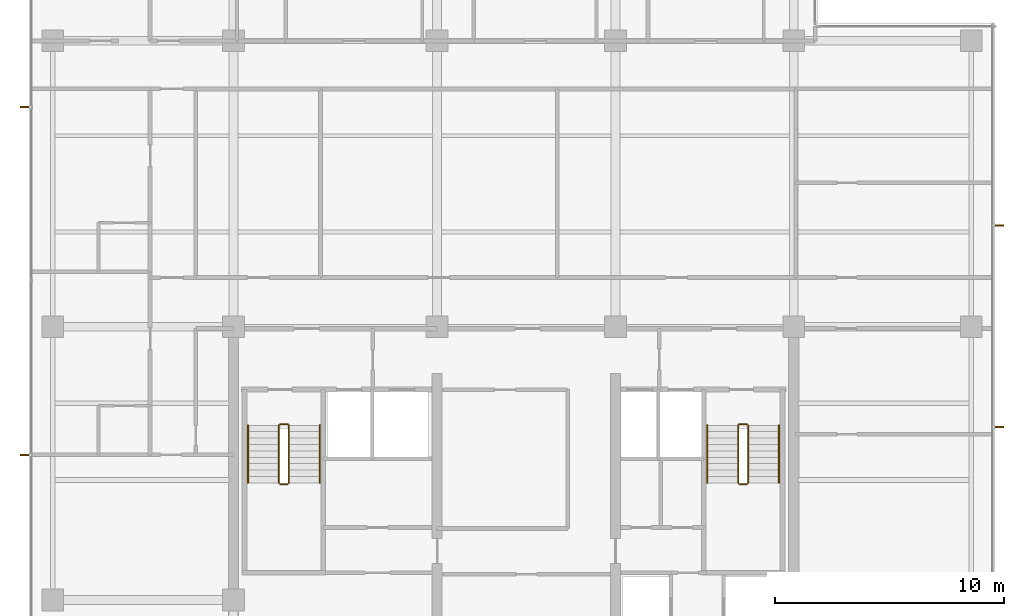
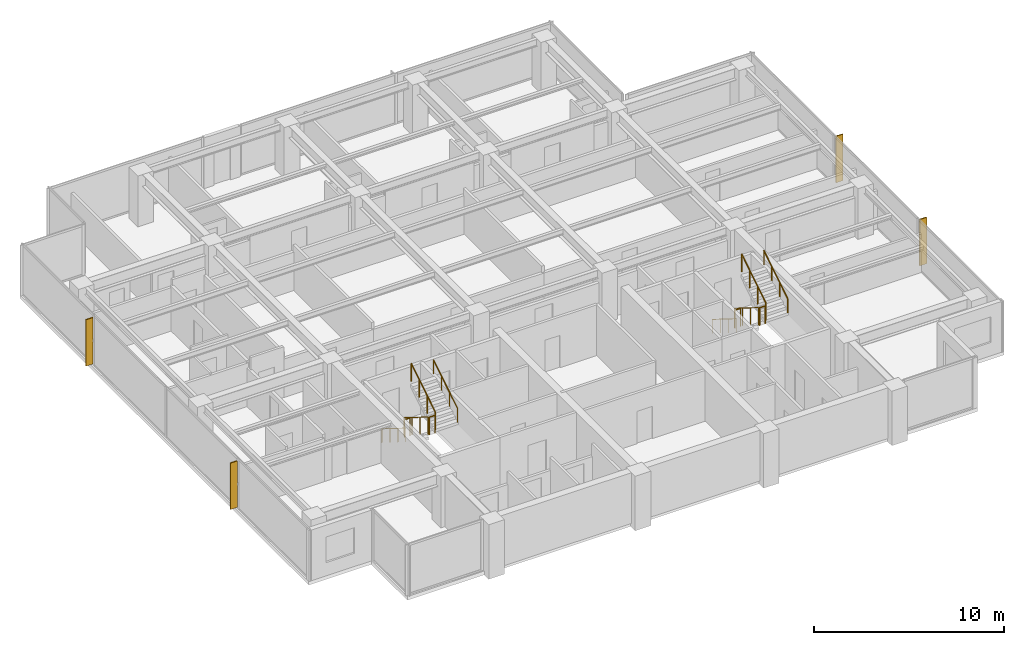
# One storey, part 13 of 14: 12 railings, 4 shading devices.
"""IFC4 building model written with IfcOpenShell, lengths in metres."""

import ifcopenshell
import ifcopenshell.guid

model = None  # the IFC model being written
_history = None  # IfcOwnerHistory: only IFC2X3 demands one
_inside = {}  # id of a spatial element -> (the spatial element, [elements in it])
_under = {}  # id of a project, library or spatial element -> (it, [spatial elements below it])
_declared = {}  # id of a project -> (the project, [libraries it declares])
_typed = {}  # id of a type object -> (the type object, [elements of that type])
_made_of = {}  # id of a material, layer set ... -> (it, [elements and type objects made of it])


def new_model(schema):
    """Start an empty IFC model of exactly this schema.

    Asked for "IFC4X3", IfcOpenShell would pick the latest addendum, in which some entities
    have other attributes; the version numbers below select the first issue.
    IFC2X3 requires an IfcOwnerHistory on every rooted entity: one is made here for all.
    """
    global model, _history
    if schema == "IFC4X3":
        model = ifcopenshell.file(schema_version=(4, 3, 0, 0))
    else:
        model = ifcopenshell.file(schema=schema)
    _inside.clear()
    _under.clear()
    _declared.clear()
    _typed.clear()
    _made_of.clear()
    _history = None
    if model.schema == "IFC2X3":
        org = make("IfcOrganization", Name="unknown")
        user = make(
            "IfcPersonAndOrganization",
            ThePerson=make("IfcPerson", FamilyName="unknown"),
            TheOrganization=org,
        )
        app = make(
            "IfcApplication",
            ApplicationDeveloper=org,
            Version="unknown",
            ApplicationFullName="unknown",
            ApplicationIdentifier="unknown",
        )
        _history = make(
            "IfcOwnerHistory",
            OwningUser=user,
            OwningApplication=app,
            ChangeAction="ADDED",
            CreationDate=0,
        )
    return model


def make(cls, **values):
    """One entity of the class cls with the attributes given. An attribute that is None is left unset."""
    return model.create_entity(
        cls, **{name: value for name, value in values.items() if value is not None}
    )


def rooted(cls, **values):
    """An entity with a GlobalId (a new one), such as an element, a storey or a relation."""
    return make(cls, GlobalId=ifcopenshell.guid.new(), OwnerHistory=_history, **values)


def si_unit(unit_type, name, prefix=None):
    """IfcSIUnit, for example si_unit("LENGTHUNIT", "METRE", prefix="MILLI")."""
    return make("IfcSIUnit", UnitType=unit_type, Prefix=prefix, Name=name)


def assignment(units):
    """IfcUnitAssignment: the units of a project."""
    return None if units is None else make("IfcUnitAssignment", Units=units)


def point(xyz):
    """IfcCartesianPoint."""
    return None if xyz is None else make("IfcCartesianPoint", Coordinates=xyz)


def direction(xyz):
    """IfcDirection."""
    return None if xyz is None else make("IfcDirection", DirectionRatios=xyz)


def frame(location, z_axis=None, x_axis=None):
    """IfcAxis2Placement3D, a coordinate frame: its origin and axes. An axis left out is left unset."""
    return make(
        "IfcAxis2Placement3D",
        Location=point(location),
        Axis=direction(z_axis),
        RefDirection=direction(x_axis),
    )


def frame_2d(location, x_axis=None):
    """IfcAxis2Placement2D, a coordinate frame in the plane: its origin and x axis."""
    return make(
        "IfcAxis2Placement2D", Location=point(location), RefDirection=direction(x_axis)
    )


def origin():
    """The frame at (0, 0, 0) with its axes left unset."""
    return frame((0.0, 0.0, 0.0))


def origin_2d():
    """The frame at (0, 0) in the plane with its x axis left unset."""
    return frame_2d((0.0, 0.0))


def place(relative_to, where):
    """IfcLocalPlacement: puts the frame where relative to a parent placement (None: the world)."""
    return make(
        "IfcLocalPlacement", PlacementRelTo=relative_to, RelativePlacement=where
    )


def context(
    kind, dimensions, precision=None, world=None, true_north=None, identifier=None
):
    """IfcGeometricRepresentationContext, for example the 3D "Model" context."""
    return make(
        "IfcGeometricRepresentationContext",
        ContextIdentifier=identifier,
        ContextType=kind,
        CoordinateSpaceDimension=dimensions,
        Precision=precision,
        WorldCoordinateSystem=world,
        TrueNorth=true_north,
    )


def subcontext(parent, identifier, kind, view, scale=None):
    """IfcGeometricRepresentationSubContext, for example "Body" below "Model"."""
    return make(
        "IfcGeometricRepresentationSubContext",
        ContextIdentifier=identifier,
        ContextType=kind,
        ParentContext=parent,
        TargetScale=scale,
        TargetView=view,
    )


def project(units=None, contexts=None):
    """IfcProject with its units and contexts."""
    return rooted(
        "IfcProject",
        Name="project",
        RepresentationContexts=contexts,
        UnitsInContext=assignment(units),
    )


def spatial(cls, under=None, at=None, **own):
    """A site, building, storey or space (cls), placed at a placement, below another one or the project."""
    s = rooted(cls, ObjectPlacement=at, **own)
    if under is not None:
        _under.setdefault(under.id(), (under, []))[1].append(s)
    return s


def polyline(points):
    """IfcPolyline through the points."""
    return make("IfcPolyline", Points=[point(p) for p in points])


def profile(cls, at=None, kind="AREA", **sizes):
    """A parametric profile (cls). Its sizes go by their IFC names, for example OverallWidth=200.0."""
    return make(cls, ProfileType=kind, Position=at, **sizes)


def circle(**sizes):
    """IfcCircleProfileDef."""
    return profile("IfcCircleProfileDef", **sizes)


def outline(outer, holes=None, kind="AREA"):
    """IfcArbitraryClosedProfileDef: a profile drawn as a closed curve; with holes, ...WithVoids."""
    if holes is None:
        return make("IfcArbitraryClosedProfileDef", ProfileType=kind, OuterCurve=outer)
    return make(
        "IfcArbitraryProfileDefWithVoids",
        ProfileType=kind,
        OuterCurve=outer,
        InnerCurves=holes,
    )


def extrude(swept, where, along, depth):
    """IfcExtrudedAreaSolid: the profile swept, set in the frame where, extruded along a direction by depth."""
    return make(
        "IfcExtrudedAreaSolid",
        SweptArea=swept,
        Position=where,
        ExtrudedDirection=direction(along),
        Depth=depth,
    )


def shape(context_of_items, identifier, shape_type, items):
    """IfcShapeRepresentation: the items that make up one representation, for example the "Body"."""
    return make(
        "IfcShapeRepresentation",
        ContextOfItems=context_of_items,
        RepresentationIdentifier=identifier,
        RepresentationType=shape_type,
        Items=items,
    )


def material(Name=None, Category=None):
    """IfcMaterial."""
    return make("IfcMaterial", Name=Name, Category=Category)


def layer(
    of_material, thickness, ventilated=None, Name=None, Category=None, Priority=None
):
    """IfcMaterialLayer: one layer of a wall or slab, of a material (None: an air gap)."""
    return make(
        "IfcMaterialLayer",
        Material=of_material,
        LayerThickness=thickness,
        IsVentilated=ventilated,
        Name=Name,
        Category=Category,
        Priority=Priority,
    )


def layer_set(layers, Name=None):
    """IfcMaterialLayerSet."""
    return make("IfcMaterialLayerSet", MaterialLayers=layers, LayerSetName=Name)


def made_of(thing, what):
    """Note that an element or type object is made of a material, layer set ...; save() writes the relation."""
    if what is not None:
        _made_of.setdefault(what.id(), (what, []))[1].append(thing)
    return thing


def type_object(cls, material=None, **own):
    """A type object (cls), such as IfcWallType, which elements share."""
    return made_of(rooted(cls, **own), material)


def element(
    cls,
    number,
    at=None,
    inside=None,
    cuts=None,
    type_object=None,
    material=None,
    context=None,
    identifier="Body",
    shape_type=None,
    held_by="IfcProductDefinitionShape",
    body=None,
    shapes=None,
    **own,
):
    """One element of the class cls, such as IfcWall. Its Tag is "e" and its number.

    at: its placement. inside: the storey or other place that contains it. cuts: it is an
    opening in that element (IfcRelVoidsElement). A single representation is given by context,
    identifier, shape_type and body (its items); several are given by shapes. held_by: the class
    of the entity that holds the representations. save() writes the other relations.
    """
    e = rooted(cls, Tag="e%d" % number, ObjectPlacement=at, **own)
    if body is not None:
        shapes = [shape(context, identifier, shape_type, body)]
    if shapes is not None:
        e.Representation = make(held_by, Representations=shapes)
    if inside is not None:
        _inside.setdefault(inside.id(), (inside, []))[1].append(e)
    if cuts is not None:
        rooted(
            "IfcRelVoidsElement", RelatingBuildingElement=cuts, RelatedOpeningElement=e
        )
    if type_object is not None:
        _typed.setdefault(type_object.id(), (type_object, []))[1].append(e)
    return made_of(e, material)


def aggregate(whole, parts):
    """IfcRelAggregates: a whole, such as a stair, and the parts it consists of."""
    return rooted("IfcRelAggregates", RelatingObject=whole, RelatedObjects=parts)


def save(model, path):
    """Write the relations noted so far, then the file.

    IfcRelAggregates (storeys below a building ...), IfcRelContainedInSpatialStructure (elements
    in a storey), IfcRelDefinesByType, IfcRelAssociatesMaterial and IfcRelDeclares: one each for
    every whole, place, type object, material and project.
    """
    for whole, parts in _under.values():
        aggregate(whole, parts)
    for where, things in _inside.values():
        rooted(
            "IfcRelContainedInSpatialStructure",
            RelatedElements=things,
            RelatingStructure=where,
        )
    for kind, things in _typed.values():
        rooted("IfcRelDefinesByType", RelatedObjects=things, RelatingType=kind)
    for what, things in _made_of.values():
        rooted("IfcRelAssociatesMaterial", RelatedObjects=things, RelatingMaterial=what)
    for by, libraries in _declared.values():
        rooted("IfcRelDeclares", RelatingContext=by, RelatedDefinitions=libraries)
    model.write(path)


model = new_model("IFC4")

# Units and contexts
model_context = context("Model", 3, precision=1e-05, world=origin(), true_north=direction((0.0, 1.0)))
body_context = subcontext(model_context, "Body", "Model", "MODEL_VIEW")
ifc_project = project(units=[si_unit("LENGTHUNIT", "METRE"), si_unit("AREAUNIT", "SQUARE_METRE"), si_unit("VOLUMEUNIT", "CUBIC_METRE"), si_unit("PLANEANGLEUNIT", "RADIAN"), si_unit("MASSUNIT", "GRAM", prefix="KILO")], contexts=[model_context])

# Site, building, storey
site_placement = place(None, origin())
site = spatial("IfcSite", under=ifc_project, at=site_placement, CompositionType="ELEMENT")
building_placement = place(site_placement, origin())
building = spatial("IfcBuilding", under=site, at=building_placement, Name="Qalmaran Belvedere Hotel", CompositionType="ELEMENT")
storey_placement = place(building_placement, frame((0.0, 0.0, 207.39990234375)))
storey = spatial("IfcBuildingStorey", under=building, at=storey_placement, Name="L52", CompositionType="ELEMENT", Elevation=207.39990234375)

# Shading devices
ifc_material_1 = material(Name="Anodised Bronze Aluminium", Category="aluminium")
ifc_layer = layer(ifc_material_1, 0.06494140625, Name="Anodised Bronze Aluminium")
ifc_layer_set = layer_set([ifc_layer], Name="Anodised Bronze Aluminium")
shading_device_type = type_object("IfcShadingDeviceType", Name="FIN-BRNZ-420", PredefinedType="USERDEFINED", material=ifc_layer_set)
shading_device_1_placement = place(storey_placement, frame((0.0, 0.0, 0.16015625)))
element("IfcShadingDevice", 1, at=shading_device_1_placement, inside=storey, type_object=shading_device_type, Name="L52 Bronze Fin 1", ObjectType="FIN", PredefinedType="USERDEFINED", context=body_context, shape_type="SweptSolid", body=[
    extrude(outline(polyline([(53.5673828125, 16.084228515625), (53.987548828125, 16.084228515625), (53.987548828125, 16.149169921875), (53.5673828125, 16.149169921875), (53.5673828125, 16.084228515625)])), origin(), (0.0, 0.0, 1.0), 2.97998046875),
])
shading_device_2_placement = place(storey_placement, frame((0.0, 0.0, 0.16015625)))
element("IfcShadingDevice", 2, at=shading_device_2_placement, inside=storey, type_object=shading_device_type, Name="L52 Bronze Fin 2", ObjectType="FIN", PredefinedType="USERDEFINED", context=body_context, shape_type="SweptSolid", body=[
    extrude(outline(polyline([(53.5673828125, 24.90087890625), (53.987548828125, 24.90087890625), (53.987548828125, 24.9658203125), (53.5673828125, 24.9658203125), (53.5673828125, 24.90087890625)])), origin(), (0.0, 0.0, 1.0), 2.97998046875),
])
shading_device_3_placement = place(storey_placement, frame((0.0, 0.0, 0.16015625)))
element("IfcShadingDevice", 3, at=shading_device_3_placement, inside=storey, type_object=shading_device_type, Name="L52 Bronze Fin 1", ObjectType="FIN", PredefinedType="USERDEFINED", context=body_context, shape_type="SweptSolid", body=[
    extrude(outline(polyline([(11.382568359375, 30.132568359375), (10.96240234375, 30.132568359375), (10.96240234375, 30.0673828125), (11.382568359375, 30.0673828125), (11.382568359375, 30.132568359375)])), origin(), (0.0, 0.0, 1.0), 2.97998046875),
])
shading_device_4_placement = place(storey_placement, frame((0.0, 0.0, 0.16015625)))
element("IfcShadingDevice", 4, at=shading_device_4_placement, inside=storey, type_object=shading_device_type, Name="L52 Bronze Fin 3", ObjectType="FIN", PredefinedType="USERDEFINED", context=body_context, shape_type="SweptSolid", body=[
    extrude(outline(polyline([(11.382568359375, 14.9326171875), (10.96240234375, 14.9326171875), (10.96240234375, 14.867431640625), (11.382568359375, 14.867431640625), (11.382568359375, 14.9326171875)])), origin(), (0.0, 0.0, 1.0), 2.97998046875),
])

# Railings
ifc_material_2 = material(Name="Stainless Steel 1.4401", Category="steel")
railing_type_1 = type_object("IfcRailingType", Name="RLG-STAIR-GUARD-1150", PredefinedType="GUARDRAIL", material=ifc_material_2)
railing_1_placement = place(storey_placement, frame((22.280029296875, 16.18994140625, 0.175048828125)))
element("IfcRailing", 5, at=railing_1_placement, inside=storey, type_object=railing_type_1, Name="L52 ST-1 stair guard 1", PredefinedType="GUARDRAIL", context=body_context, shape_type="SweptSolid", body=[
    extrude(circle(Radius=0.02392578125, at=origin_2d()), frame((0.0, 0.0, 1.1259765625), z_axis=(0.0, -0.848007534815, 0.529984170421), x_axis=(1.0, 0.0, 0.0)), (0.0, 0.0, 1.0), 2.9716796875),
    extrude(circle(Radius=0.02099609375, at=origin_2d()), origin(), (0.0, 0.0, 1.0), 1.101806640625),
    extrude(circle(Radius=0.02099609375, at=origin_2d()), frame((0.0, -0.840087890625, 0.52490234375)), (0.0, 0.0, 1.0), 1.101806640625),
    extrude(circle(Radius=0.02099609375, at=origin_2d()), frame((0.0, -1.679931640625, 1.050048828125)), (0.0, 0.0, 1.0), 1.101806640625),
    extrude(circle(Radius=0.02099609375, at=origin_2d()), frame((0.0, -2.52001953125, 1.574951171875)), (0.0, 0.0, 1.0), 1.101806640625),
])
railing_2_placement = place(storey_placement, frame((22.330078125, 13.6201171875, 1.75)))
element("IfcRailing", 6, at=railing_2_placement, inside=storey, type_object=railing_type_1, Name="L52 ST-1 stair guard 2", PredefinedType="GUARDRAIL", context=body_context, shape_type="SweptSolid", body=[
    extrude(circle(Radius=0.02392578125, at=origin_2d()), frame((0.0, 0.0, 1.1259765625), z_axis=(1.0, 0.0, 0.0), x_axis=(0.0, 1.0, 0.0)), (0.0, 0.0, 1.0), 0.33984375),
    extrude(circle(Radius=0.02099609375, at=origin_2d()), origin(), (0.0, 0.0, 1.0), 1.101806640625),
    extrude(circle(Radius=0.02099609375, at=origin_2d()), frame((0.33984375, 0.0, 0.0)), (0.0, 0.0, 1.0), 1.101806640625),
])
railing_3_placement = place(storey_placement, frame((22.719970703125, 13.669921875, 1.925048828125)))
element("IfcRailing", 7, at=railing_3_placement, inside=storey, type_object=railing_type_1, Name="L52 ST-1 stair guard 3", PredefinedType="GUARDRAIL", context=body_context, shape_type="SweptSolid", body=[
    extrude(circle(Radius=0.02392578125, at=origin_2d()), frame((0.0, 0.0, 1.1259765625), z_axis=(0.0, 0.848007534815, 0.529984170421), x_axis=(-1.0, 0.0, 0.0)), (0.0, 0.0, 1.0), 2.9716796875),
    extrude(circle(Radius=0.02099609375, at=origin_2d()), origin(), (0.0, 0.0, 1.0), 1.101806640625),
    extrude(circle(Radius=0.02099609375, at=origin_2d()), frame((0.0, 0.840087890625, 0.52490234375)), (0.0, 0.0, 1.0), 1.101806640625),
    extrude(circle(Radius=0.02099609375, at=origin_2d()), frame((0.0, 1.679931640625, 1.050048828125)), (0.0, 0.0, 1.0), 1.101806640625),
    extrude(circle(Radius=0.02099609375, at=origin_2d()), frame((0.0, 2.52001953125, 1.574951171875)), (0.0, 0.0, 1.0), 1.101806640625),
])
railing_4_placement = place(storey_placement, frame((22.330078125, 16.239990234375, 0.0)))
element("IfcRailing", 8, at=railing_4_placement, inside=storey, type_object=railing_type_1, Name="L52 ST-1 stair guard 4", PredefinedType="GUARDRAIL", context=body_context, shape_type="SweptSolid", body=[
    extrude(circle(Radius=0.02392578125, at=origin_2d()), frame((0.0, 0.0, 1.1259765625), z_axis=(1.0, 0.0, 0.0), x_axis=(0.0, 1.0, 0.0)), (0.0, 0.0, 1.0), 0.33984375),
    extrude(circle(Radius=0.02099609375, at=origin_2d()), origin(), (0.0, 0.0, 1.0), 1.101806640625),
    extrude(circle(Radius=0.02099609375, at=origin_2d()), frame((0.33984375, 0.0, 0.0)), (0.0, 0.0, 1.0), 1.101806640625),
])
railing_5_placement = place(storey_placement, frame((42.360107421875, 16.18994140625, 0.175048828125)))
element("IfcRailing", 9, at=railing_5_placement, inside=storey, type_object=railing_type_1, Name="L52 ST-2 stair guard 1", PredefinedType="GUARDRAIL", context=body_context, shape_type="SweptSolid", body=[
    extrude(circle(Radius=0.02392578125, at=origin_2d()), frame((0.0, 0.0, 1.1259765625), z_axis=(0.0, -0.848007534815, 0.529984170421), x_axis=(1.0, 0.0, 0.0)), (0.0, 0.0, 1.0), 2.9716796875),
    extrude(circle(Radius=0.02099609375, at=origin_2d()), origin(), (0.0, 0.0, 1.0), 1.101806640625),
    extrude(circle(Radius=0.02099609375, at=origin_2d()), frame((0.0, -0.840087890625, 0.52490234375)), (0.0, 0.0, 1.0), 1.101806640625),
    extrude(circle(Radius=0.02099609375, at=origin_2d()), frame((0.0, -1.679931640625, 1.050048828125)), (0.0, 0.0, 1.0), 1.101806640625),
    extrude(circle(Radius=0.02099609375, at=origin_2d()), frame((0.0, -2.52001953125, 1.574951171875)), (0.0, 0.0, 1.0), 1.101806640625),
])
railing_6_placement = place(storey_placement, frame((42.409912109375, 13.6201171875, 1.75)))
element("IfcRailing", 10, at=railing_6_placement, inside=storey, type_object=railing_type_1, Name="L52 ST-2 stair guard 2", PredefinedType="GUARDRAIL", context=body_context, shape_type="SweptSolid", body=[
    extrude(circle(Radius=0.02392578125, at=origin_2d()), frame((0.0, 0.0, 1.1259765625), z_axis=(1.0, 0.0, 0.0), x_axis=(0.0, 1.0, 0.0)), (0.0, 0.0, 1.0), 0.340087890625),
    extrude(circle(Radius=0.02099609375, at=origin_2d()), origin(), (0.0, 0.0, 1.0), 1.101806640625),
    extrude(circle(Radius=0.02099609375, at=origin_2d()), frame((0.340087890625, 0.0, 0.0)), (0.0, 0.0, 1.0), 1.101806640625),
])
railing_7_placement = place(storey_placement, frame((42.800048828125, 13.669921875, 1.925048828125)))
element("IfcRailing", 11, at=railing_7_placement, inside=storey, type_object=railing_type_1, Name="L52 ST-2 stair guard 3", PredefinedType="GUARDRAIL", context=body_context, shape_type="SweptSolid", body=[
    extrude(circle(Radius=0.02392578125, at=origin_2d()), frame((0.0, 0.0, 1.1259765625), z_axis=(0.0, 0.848007534815, 0.529984170421), x_axis=(-1.0, 0.0, 0.0)), (0.0, 0.0, 1.0), 2.9716796875),
    extrude(circle(Radius=0.02099609375, at=origin_2d()), origin(), (0.0, 0.0, 1.0), 1.101806640625),
    extrude(circle(Radius=0.02099609375, at=origin_2d()), frame((0.0, 0.840087890625, 0.52490234375)), (0.0, 0.0, 1.0), 1.101806640625),
    extrude(circle(Radius=0.02099609375, at=origin_2d()), frame((0.0, 1.679931640625, 1.050048828125)), (0.0, 0.0, 1.0), 1.101806640625),
    extrude(circle(Radius=0.02099609375, at=origin_2d()), frame((0.0, 2.52001953125, 1.574951171875)), (0.0, 0.0, 1.0), 1.101806640625),
])
railing_8_placement = place(storey_placement, frame((42.409912109375, 16.239990234375, 0.0)))
element("IfcRailing", 12, at=railing_8_placement, inside=storey, type_object=railing_type_1, Name="L52 ST-2 stair guard 4", PredefinedType="GUARDRAIL", context=body_context, shape_type="SweptSolid", body=[
    extrude(circle(Radius=0.02392578125, at=origin_2d()), frame((0.0, 0.0, 1.1259765625), z_axis=(1.0, 0.0, 0.0), x_axis=(0.0, 1.0, 0.0)), (0.0, 0.0, 1.0), 0.340087890625),
    extrude(circle(Radius=0.02099609375, at=origin_2d()), origin(), (0.0, 0.0, 1.0), 1.101806640625),
    extrude(circle(Radius=0.02099609375, at=origin_2d()), frame((0.340087890625, 0.0, 0.0)), (0.0, 0.0, 1.0), 1.101806640625),
])
railing_type_2 = type_object("IfcRailingType", Name="RLG-STAIR-HAND-910", PredefinedType="HANDRAIL", material=ifc_material_2)
railing_9_placement = place(storey_placement, frame((20.929931640625, 16.18994140625, 0.175048828125)))
element("IfcRailing", 13, at=railing_9_placement, inside=storey, type_object=railing_type_2, Name="L52 ST-1 stair handrail 1", PredefinedType="HANDRAIL", context=body_context, shape_type="SweptSolid", body=[
    extrude(circle(Radius=0.02392578125, at=origin_2d()), frame((0.0, 0.0, 0.8857421875), z_axis=(0.0, -0.848007534815, 0.529984170421), x_axis=(1.0, 0.0, 0.0)), (0.0, 0.0, 1.0), 2.9716796875),
    extrude(circle(Radius=0.02099609375, at=origin_2d()), origin(), (0.0, 0.0, 1.0), 0.86181640625),
    extrude(circle(Radius=0.02099609375, at=origin_2d()), frame((0.0, -0.840087890625, 0.52490234375)), (0.0, 0.0, 1.0), 0.86181640625),
    extrude(circle(Radius=0.02099609375, at=origin_2d()), frame((0.0, -1.679931640625, 1.050048828125)), (0.0, 0.0, 1.0), 0.86181640625),
    extrude(circle(Radius=0.02099609375, at=origin_2d()), frame((0.0, -2.52001953125, 1.574951171875)), (0.0, 0.0, 1.0), 0.86181640625),
])
railing_10_placement = place(storey_placement, frame((24.070068359375, 13.669921875, 1.925048828125)))
element("IfcRailing", 14, at=railing_10_placement, inside=storey, type_object=railing_type_2, Name="L52 ST-1 stair handrail 2", PredefinedType="HANDRAIL", context=body_context, shape_type="SweptSolid", body=[
    extrude(circle(Radius=0.02392578125, at=origin_2d()), frame((0.0, 0.0, 0.8857421875), z_axis=(0.0, 0.848007534815, 0.529984170421), x_axis=(-1.0, 0.0, 0.0)), (0.0, 0.0, 1.0), 2.9716796875),
    extrude(circle(Radius=0.02099609375, at=origin_2d()), origin(), (0.0, 0.0, 1.0), 0.86181640625),
    extrude(circle(Radius=0.02099609375, at=origin_2d()), frame((0.0, 0.840087890625, 0.52490234375)), (0.0, 0.0, 1.0), 0.86181640625),
    extrude(circle(Radius=0.02099609375, at=origin_2d()), frame((0.0, 1.679931640625, 1.050048828125)), (0.0, 0.0, 1.0), 0.86181640625),
    extrude(circle(Radius=0.02099609375, at=origin_2d()), frame((0.0, 2.52001953125, 1.574951171875)), (0.0, 0.0, 1.0), 0.86181640625),
])
railing_11_placement = place(storey_placement, frame((41.010009765625, 16.18994140625, 0.175048828125)))
element("IfcRailing", 15, at=railing_11_placement, inside=storey, type_object=railing_type_2, Name="L52 ST-2 stair handrail 1", PredefinedType="HANDRAIL", context=body_context, shape_type="SweptSolid", body=[
    extrude(circle(Radius=0.02392578125, at=origin_2d()), frame((0.0, 0.0, 0.8857421875), z_axis=(0.0, -0.848007534815, 0.529984170421), x_axis=(1.0, 0.0, 0.0)), (0.0, 0.0, 1.0), 2.9716796875),
    extrude(circle(Radius=0.02099609375, at=origin_2d()), origin(), (0.0, 0.0, 1.0), 0.86181640625),
    extrude(circle(Radius=0.02099609375, at=origin_2d()), frame((0.0, -0.840087890625, 0.52490234375)), (0.0, 0.0, 1.0), 0.86181640625),
    extrude(circle(Radius=0.02099609375, at=origin_2d()), frame((0.0, -1.679931640625, 1.050048828125)), (0.0, 0.0, 1.0), 0.86181640625),
    extrude(circle(Radius=0.02099609375, at=origin_2d()), frame((0.0, -2.52001953125, 1.574951171875)), (0.0, 0.0, 1.0), 0.86181640625),
])
railing_12_placement = place(storey_placement, frame((44.14990234375, 13.669921875, 1.925048828125)))
element("IfcRailing", 16, at=railing_12_placement, inside=storey, type_object=railing_type_2, Name="L52 ST-2 stair handrail 2", PredefinedType="HANDRAIL", context=body_context, shape_type="SweptSolid", body=[
    extrude(circle(Radius=0.02392578125, at=origin_2d()), frame((0.0, 0.0, 0.8857421875), z_axis=(0.0, 0.848007534815, 0.529984170421), x_axis=(-1.0, 0.0, 0.0)), (0.0, 0.0, 1.0), 2.9716796875),
    extrude(circle(Radius=0.02099609375, at=origin_2d()), origin(), (0.0, 0.0, 1.0), 0.86181640625),
    extrude(circle(Radius=0.02099609375, at=origin_2d()), frame((0.0, 0.840087890625, 0.52490234375)), (0.0, 0.0, 1.0), 0.86181640625),
    extrude(circle(Radius=0.02099609375, at=origin_2d()), frame((0.0, 1.679931640625, 1.050048828125)), (0.0, 0.0, 1.0), 0.86181640625),
    extrude(circle(Radius=0.02099609375, at=origin_2d()), frame((0.0, 2.52001953125, 1.574951171875)), (0.0, 0.0, 1.0), 0.86181640625),
])

save(model, "model.ifc")
